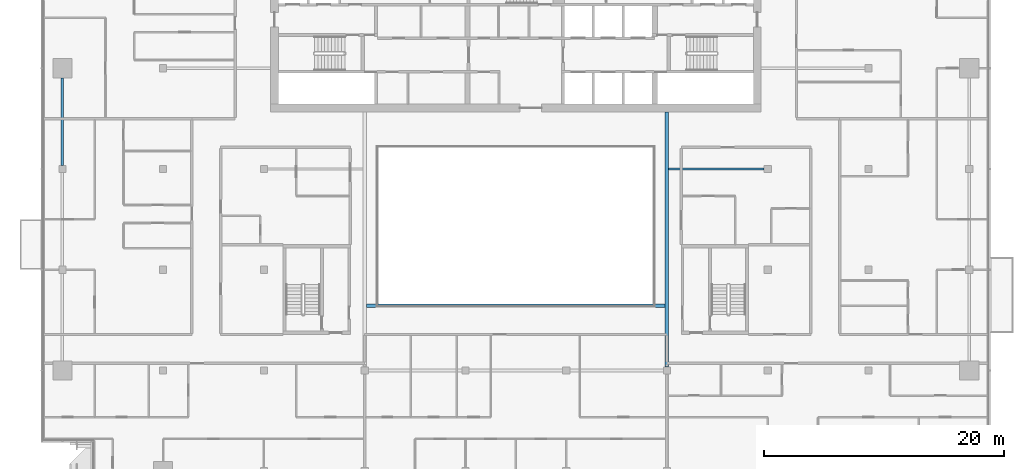
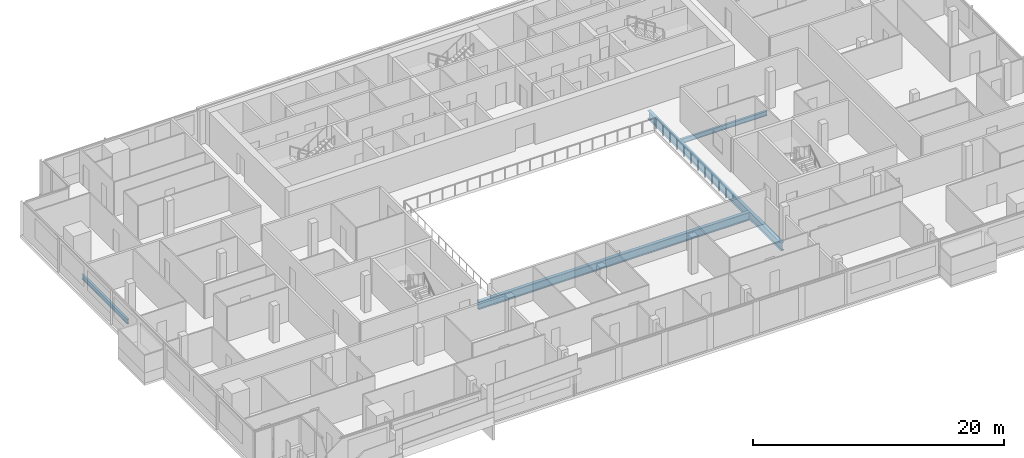
# One storey, part 7 of 29: 4 beams.
"""IFC4 building model written with IfcOpenShell, lengths in metres."""

import ifcopenshell
import ifcopenshell.guid

model = None  # the IFC model being written
_history = None  # IfcOwnerHistory: only IFC2X3 demands one
_inside = {}  # id of a spatial element -> (the spatial element, [elements in it])
_under = {}  # id of a project, library or spatial element -> (it, [spatial elements below it])
_declared = {}  # id of a project -> (the project, [libraries it declares])
_typed = {}  # id of a type object -> (the type object, [elements of that type])
_made_of = {}  # id of a material, layer set ... -> (it, [elements and type objects made of it])


def new_model(schema):
    """Start an empty IFC model of exactly this schema.

    Asked for "IFC4X3", IfcOpenShell would pick the latest addendum, in which some entities
    have other attributes; the version numbers below select the first issue.
    IFC2X3 requires an IfcOwnerHistory on every rooted entity: one is made here for all.
    """
    global model, _history
    if schema == "IFC4X3":
        model = ifcopenshell.file(schema_version=(4, 3, 0, 0))
    else:
        model = ifcopenshell.file(schema=schema)
    _inside.clear()
    _under.clear()
    _declared.clear()
    _typed.clear()
    _made_of.clear()
    _history = None
    if model.schema == "IFC2X3":
        org = make("IfcOrganization", Name="unknown")
        user = make(
            "IfcPersonAndOrganization",
            ThePerson=make("IfcPerson", FamilyName="unknown"),
            TheOrganization=org,
        )
        app = make(
            "IfcApplication",
            ApplicationDeveloper=org,
            Version="unknown",
            ApplicationFullName="unknown",
            ApplicationIdentifier="unknown",
        )
        _history = make(
            "IfcOwnerHistory",
            OwningUser=user,
            OwningApplication=app,
            ChangeAction="ADDED",
            CreationDate=0,
        )
    return model


def make(cls, **values):
    """One entity of the class cls with the attributes given. An attribute that is None is left unset."""
    return model.create_entity(
        cls, **{name: value for name, value in values.items() if value is not None}
    )


def rooted(cls, **values):
    """An entity with a GlobalId (a new one), such as an element, a storey or a relation."""
    return make(cls, GlobalId=ifcopenshell.guid.new(), OwnerHistory=_history, **values)


def si_unit(unit_type, name, prefix=None):
    """IfcSIUnit, for example si_unit("LENGTHUNIT", "METRE", prefix="MILLI")."""
    return make("IfcSIUnit", UnitType=unit_type, Prefix=prefix, Name=name)


def assignment(units):
    """IfcUnitAssignment: the units of a project."""
    return None if units is None else make("IfcUnitAssignment", Units=units)


def point(xyz):
    """IfcCartesianPoint."""
    return None if xyz is None else make("IfcCartesianPoint", Coordinates=xyz)


def direction(xyz):
    """IfcDirection."""
    return None if xyz is None else make("IfcDirection", DirectionRatios=xyz)


def frame(location, z_axis=None, x_axis=None):
    """IfcAxis2Placement3D, a coordinate frame: its origin and axes. An axis left out is left unset."""
    return make(
        "IfcAxis2Placement3D",
        Location=point(location),
        Axis=direction(z_axis),
        RefDirection=direction(x_axis),
    )


def frame_2d(location, x_axis=None):
    """IfcAxis2Placement2D, a coordinate frame in the plane: its origin and x axis."""
    return make(
        "IfcAxis2Placement2D", Location=point(location), RefDirection=direction(x_axis)
    )


def origin():
    """The frame at (0, 0, 0) with its axes left unset."""
    return frame((0.0, 0.0, 0.0))


def origin_2d():
    """The frame at (0, 0) in the plane with its x axis left unset."""
    return frame_2d((0.0, 0.0))


def place(relative_to, where):
    """IfcLocalPlacement: puts the frame where relative to a parent placement (None: the world)."""
    return make(
        "IfcLocalPlacement", PlacementRelTo=relative_to, RelativePlacement=where
    )


def context(
    kind, dimensions, precision=None, world=None, true_north=None, identifier=None
):
    """IfcGeometricRepresentationContext, for example the 3D "Model" context."""
    return make(
        "IfcGeometricRepresentationContext",
        ContextIdentifier=identifier,
        ContextType=kind,
        CoordinateSpaceDimension=dimensions,
        Precision=precision,
        WorldCoordinateSystem=world,
        TrueNorth=true_north,
    )


def subcontext(parent, identifier, kind, view, scale=None):
    """IfcGeometricRepresentationSubContext, for example "Body" below "Model"."""
    return make(
        "IfcGeometricRepresentationSubContext",
        ContextIdentifier=identifier,
        ContextType=kind,
        ParentContext=parent,
        TargetScale=scale,
        TargetView=view,
    )


def project(units=None, contexts=None):
    """IfcProject with its units and contexts."""
    return rooted(
        "IfcProject",
        Name="project",
        RepresentationContexts=contexts,
        UnitsInContext=assignment(units),
    )


def spatial(cls, under=None, at=None, **own):
    """A site, building, storey or space (cls), placed at a placement, below another one or the project."""
    s = rooted(cls, ObjectPlacement=at, **own)
    if under is not None:
        _under.setdefault(under.id(), (under, []))[1].append(s)
    return s


def profile(cls, at=None, kind="AREA", **sizes):
    """A parametric profile (cls). Its sizes go by their IFC names, for example OverallWidth=200.0."""
    return make(cls, ProfileType=kind, Position=at, **sizes)


def i_section(**sizes):
    """IfcIShapeProfileDef."""
    return profile("IfcIShapeProfileDef", **sizes)


def extrude(swept, where, along, depth):
    """IfcExtrudedAreaSolid: the profile swept, set in the frame where, extruded along a direction by depth."""
    return make(
        "IfcExtrudedAreaSolid",
        SweptArea=swept,
        Position=where,
        ExtrudedDirection=direction(along),
        Depth=depth,
    )


def shape(context_of_items, identifier, shape_type, items):
    """IfcShapeRepresentation: the items that make up one representation, for example the "Body"."""
    return make(
        "IfcShapeRepresentation",
        ContextOfItems=context_of_items,
        RepresentationIdentifier=identifier,
        RepresentationType=shape_type,
        Items=items,
    )


def material(Name=None, Category=None):
    """IfcMaterial."""
    return make("IfcMaterial", Name=Name, Category=Category)


def material_profile(
    of_material, cross_section, Name=None, Category=None, Priority=None
):
    """IfcMaterialProfile: a cross section and its material."""
    return make(
        "IfcMaterialProfile",
        Name=Name,
        Material=of_material,
        Profile=cross_section,
        Priority=Priority,
        Category=Category,
    )


def profile_set(profiles, Name=None, composite=None):
    """IfcMaterialProfileSet."""
    return make(
        "IfcMaterialProfileSet",
        Name=Name,
        MaterialProfiles=profiles,
        CompositeProfile=composite,
    )


def made_of(thing, what):
    """Note that an element or type object is made of a material, layer set ...; save() writes the relation."""
    if what is not None:
        _made_of.setdefault(what.id(), (what, []))[1].append(thing)
    return thing


def type_object(cls, material=None, **own):
    """A type object (cls), such as IfcWallType, which elements share."""
    return made_of(rooted(cls, **own), material)


def element(
    cls,
    number,
    at=None,
    inside=None,
    cuts=None,
    type_object=None,
    material=None,
    context=None,
    identifier="Body",
    shape_type=None,
    held_by="IfcProductDefinitionShape",
    body=None,
    shapes=None,
    **own,
):
    """One element of the class cls, such as IfcWall. Its Tag is "e" and its number.

    at: its placement. inside: the storey or other place that contains it. cuts: it is an
    opening in that element (IfcRelVoidsElement). A single representation is given by context,
    identifier, shape_type and body (its items); several are given by shapes. held_by: the class
    of the entity that holds the representations. save() writes the other relations.
    """
    e = rooted(cls, Tag="e%d" % number, ObjectPlacement=at, **own)
    if body is not None:
        shapes = [shape(context, identifier, shape_type, body)]
    if shapes is not None:
        e.Representation = make(held_by, Representations=shapes)
    if inside is not None:
        _inside.setdefault(inside.id(), (inside, []))[1].append(e)
    if cuts is not None:
        rooted(
            "IfcRelVoidsElement", RelatingBuildingElement=cuts, RelatedOpeningElement=e
        )
    if type_object is not None:
        _typed.setdefault(type_object.id(), (type_object, []))[1].append(e)
    return made_of(e, material)


def aggregate(whole, parts):
    """IfcRelAggregates: a whole, such as a stair, and the parts it consists of."""
    return rooted("IfcRelAggregates", RelatingObject=whole, RelatedObjects=parts)


def save(model, path):
    """Write the relations noted so far, then the file.

    IfcRelAggregates (storeys below a building ...), IfcRelContainedInSpatialStructure (elements
    in a storey), IfcRelDefinesByType, IfcRelAssociatesMaterial and IfcRelDeclares: one each for
    every whole, place, type object, material and project.
    """
    for whole, parts in _under.values():
        aggregate(whole, parts)
    for where, things in _inside.values():
        rooted(
            "IfcRelContainedInSpatialStructure",
            RelatedElements=things,
            RelatingStructure=where,
        )
    for kind, things in _typed.values():
        rooted("IfcRelDefinesByType", RelatedObjects=things, RelatingType=kind)
    for what, things in _made_of.values():
        rooted("IfcRelAssociatesMaterial", RelatedObjects=things, RelatingMaterial=what)
    for by, libraries in _declared.values():
        rooted("IfcRelDeclares", RelatingContext=by, RelatedDefinitions=libraries)
    model.write(path)


model = new_model("IFC4")

# Units and contexts
model_context = context("Model", 3, precision=1e-05, world=origin(), true_north=direction((0.0, 1.0)))
body_context = subcontext(model_context, "Body", "Model", "MODEL_VIEW")
ifc_project = project(units=[si_unit("LENGTHUNIT", "METRE"), si_unit("AREAUNIT", "SQUARE_METRE"), si_unit("VOLUMEUNIT", "CUBIC_METRE"), si_unit("PLANEANGLEUNIT", "RADIAN"), si_unit("MASSUNIT", "GRAM", prefix="KILO")], contexts=[model_context])

# Site, building, storey
site_placement = place(None, origin())
site = spatial("IfcSite", under=ifc_project, at=site_placement, CompositionType="ELEMENT")
building_placement = place(site_placement, origin())
building = spatial("IfcBuilding", under=site, at=building_placement, Name="Saffron Gate Tower", CompositionType="ELEMENT")
storey_placement = place(building_placement, frame((0.0, 0.0, 227.10009765625)))
storey = spatial("IfcBuildingStorey", under=building, at=storey_placement, Name="L55", CompositionType="ELEMENT", Elevation=227.10009765625)

# Beams
ifc_material = material(Name="Structural steel S355", Category="steel")
ifc_material_profile_1 = material_profile(ifc_material, i_section(OverallWidth=0.300048828125, OverallDepth=0.7900390625, WebThickness=0.014892578125, FlangeThickness=0.028076171875, FilletRadius=0.030029296875, at=origin_2d()))
ifc_profile_set_1 = profile_set([ifc_material_profile_1], Name="Structural steel S355")
beam_type_1 = type_object("IfcBeamType", Name="B18 HEA 800", PredefinedType="BEAM", material=ifc_profile_set_1)
beam_1_placement = place(storey_placement, frame((100.199951171875, 40.5, -0.675048828125), z_axis=(0.0, 1.0, 0.0), x_axis=(-1.0, 0.0, 0.0)))
element("IfcBeam", 1, at=beam_1_placement, inside=storey, type_object=beam_type_1, Name="B18 ATRIUM GIRDER", PredefinedType="BEAM", context=body_context, shape_type="SweptSolid", body=[
    extrude(i_section(OverallWidth=0.300048828125, OverallDepth=0.7900390625, WebThickness=0.014892578125, FlangeThickness=0.028076171875, FilletRadius=0.030029296875, at=origin_2d()), origin(), (0.0, 0.0, 1.0), 21.25),
])
beam_2_placement = place(storey_placement, frame((75.14990234375, 45.60009765625, -0.675048828125), z_axis=(1.0, 0.0, 0.0), x_axis=(0.0, 1.0, 0.0)))
element("IfcBeam", 2, at=beam_2_placement, inside=storey, type_object=beam_type_1, Name="B18 ATRIUM GIRDER", PredefinedType="BEAM", context=body_context, shape_type="SweptSolid", body=[
    extrude(i_section(OverallWidth=0.300048828125, OverallDepth=0.7900390625, WebThickness=0.014892578125, FlangeThickness=0.028076171875, FilletRadius=0.030029296875, at=origin_2d()), origin(), (0.0, 0.0, 1.0), 24.900146484375),
])
ifc_material_profile_2 = material_profile(ifc_material, i_section(OverallWidth=0.18994140625, OverallDepth=0.449951171875, WebThickness=0.009521484375, FlangeThickness=0.0146484375, FilletRadius=0.02099609375, at=origin_2d()))
ifc_profile_set_2 = profile_set([ifc_material_profile_2], Name="Structural steel S355")
beam_type_2 = type_object("IfcBeamType", Name="B6 IPE 450", PredefinedType="BEAM", material=ifc_profile_set_2)
beam_3_placement = place(storey_placement, frame((108.300048828125, 57.0, -0.505126953125), z_axis=(-1.0, 0.0, 0.0), x_axis=(0.0, -1.0, 0.0)))
element("IfcBeam", 3, at=beam_3_placement, inside=storey, type_object=beam_type_2, Name="B6 CORE TIE BEAM", PredefinedType="BEAM", context=body_context, shape_type="SweptSolid", body=[
    extrude(i_section(OverallWidth=0.18994140625, OverallDepth=0.449951171875, WebThickness=0.009521484375, FlangeThickness=0.0146484375, FilletRadius=0.02099609375, at=origin_2d()), origin(), (0.0, 0.0, 1.0), 7.949951171875),
])
ifc_material_profile_3 = material_profile(ifc_material, i_section(OverallWidth=0.18994140625, OverallDepth=0.449951171875, WebThickness=0.009521484375, FlangeThickness=0.0146484375, FilletRadius=0.02099609375, at=origin_2d()))
ifc_profile_set_3 = profile_set([ifc_material_profile_3], Name="Structural steel S355")
beam_type_3 = type_object("IfcBeamType", Name="B7 IPE 450", PredefinedType="SPANDREL", material=ifc_profile_set_3)
beam_4_placement = place(storey_placement, frame((49.800048828125, 57.300048828125, -0.505126953125), z_axis=(0.0, 1.0, 0.0), x_axis=(-1.0, 0.0, 0.0)))
element("IfcBeam", 4, at=beam_4_placement, inside=storey, type_object=beam_type_3, Name="B7 SPANDREL BEAM", PredefinedType="SPANDREL", context=body_context, shape_type="SweptSolid", body=[
    extrude(i_section(OverallWidth=0.18994140625, OverallDepth=0.449951171875, WebThickness=0.009521484375, FlangeThickness=0.0146484375, FilletRadius=0.02099609375, at=origin_2d()), origin(), (0.0, 0.0, 1.0), 7.300048828125),
])

save(model, "model.ifc")
